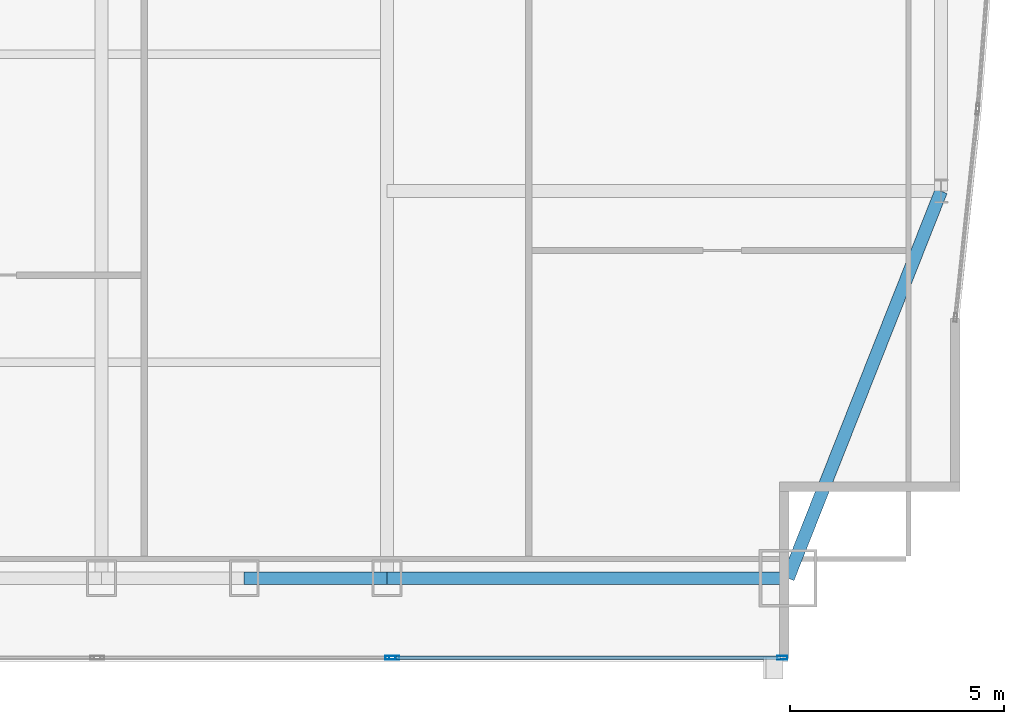
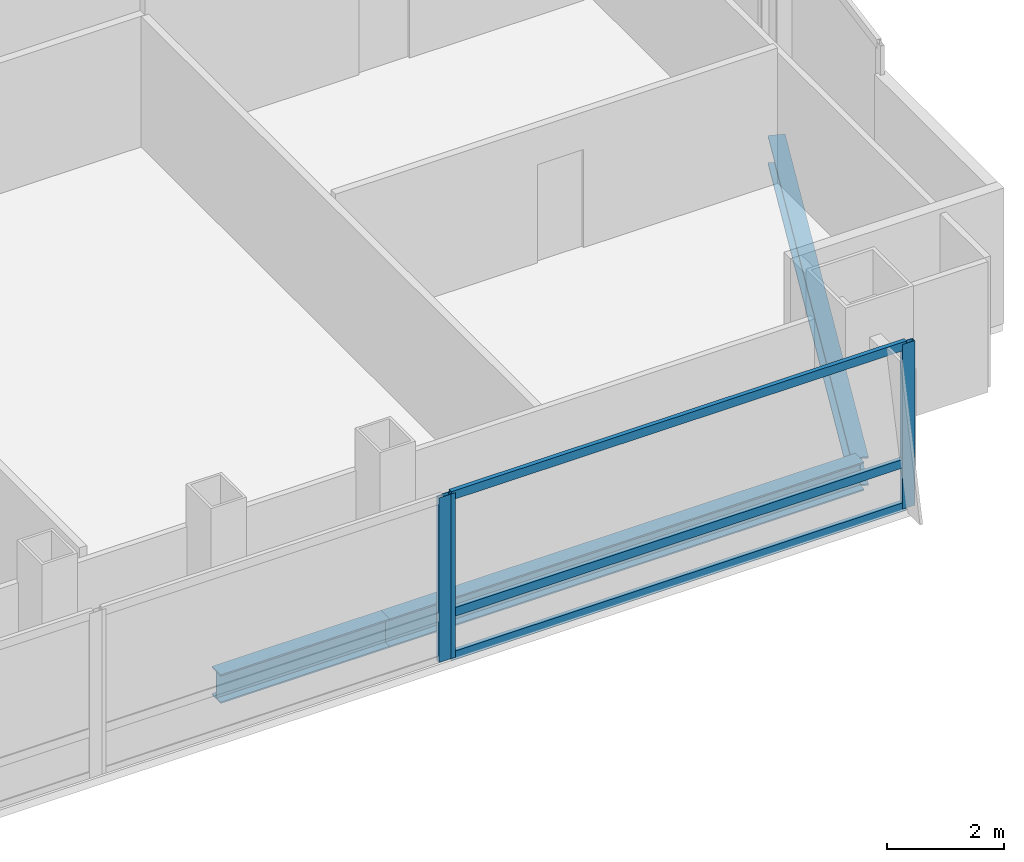
# One storey, part 15 of 29: 6 members, 3 beams, 2 elements without a shape of their own.
"""IFC4 building model written with IfcOpenShell, lengths in metres."""

import ifcopenshell
import ifcopenshell.guid

model = None  # the IFC model being written
_history = None  # IfcOwnerHistory: only IFC2X3 demands one
_inside = {}  # id of a spatial element -> (the spatial element, [elements in it])
_under = {}  # id of a project, library or spatial element -> (it, [spatial elements below it])
_declared = {}  # id of a project -> (the project, [libraries it declares])
_typed = {}  # id of a type object -> (the type object, [elements of that type])
_made_of = {}  # id of a material, layer set ... -> (it, [elements and type objects made of it])


def new_model(schema):
    """Start an empty IFC model of exactly this schema.

    Asked for "IFC4X3", IfcOpenShell would pick the latest addendum, in which some entities
    have other attributes; the version numbers below select the first issue.
    IFC2X3 requires an IfcOwnerHistory on every rooted entity: one is made here for all.
    """
    global model, _history
    if schema == "IFC4X3":
        model = ifcopenshell.file(schema_version=(4, 3, 0, 0))
    else:
        model = ifcopenshell.file(schema=schema)
    _inside.clear()
    _under.clear()
    _declared.clear()
    _typed.clear()
    _made_of.clear()
    _history = None
    if model.schema == "IFC2X3":
        org = make("IfcOrganization", Name="unknown")
        user = make(
            "IfcPersonAndOrganization",
            ThePerson=make("IfcPerson", FamilyName="unknown"),
            TheOrganization=org,
        )
        app = make(
            "IfcApplication",
            ApplicationDeveloper=org,
            Version="unknown",
            ApplicationFullName="unknown",
            ApplicationIdentifier="unknown",
        )
        _history = make(
            "IfcOwnerHistory",
            OwningUser=user,
            OwningApplication=app,
            ChangeAction="ADDED",
            CreationDate=0,
        )
    return model


def make(cls, **values):
    """One entity of the class cls with the attributes given. An attribute that is None is left unset."""
    return model.create_entity(
        cls, **{name: value for name, value in values.items() if value is not None}
    )


def rooted(cls, **values):
    """An entity with a GlobalId (a new one), such as an element, a storey or a relation."""
    return make(cls, GlobalId=ifcopenshell.guid.new(), OwnerHistory=_history, **values)


def si_unit(unit_type, name, prefix=None):
    """IfcSIUnit, for example si_unit("LENGTHUNIT", "METRE", prefix="MILLI")."""
    return make("IfcSIUnit", UnitType=unit_type, Prefix=prefix, Name=name)


def assignment(units):
    """IfcUnitAssignment: the units of a project."""
    return None if units is None else make("IfcUnitAssignment", Units=units)


def point(xyz):
    """IfcCartesianPoint."""
    return None if xyz is None else make("IfcCartesianPoint", Coordinates=xyz)


def direction(xyz):
    """IfcDirection."""
    return None if xyz is None else make("IfcDirection", DirectionRatios=xyz)


def frame(location, z_axis=None, x_axis=None):
    """IfcAxis2Placement3D, a coordinate frame: its origin and axes. An axis left out is left unset."""
    return make(
        "IfcAxis2Placement3D",
        Location=point(location),
        Axis=direction(z_axis),
        RefDirection=direction(x_axis),
    )


def frame_2d(location, x_axis=None):
    """IfcAxis2Placement2D, a coordinate frame in the plane: its origin and x axis."""
    return make(
        "IfcAxis2Placement2D", Location=point(location), RefDirection=direction(x_axis)
    )


def origin():
    """The frame at (0, 0, 0) with its axes left unset."""
    return frame((0.0, 0.0, 0.0))


def origin_2d():
    """The frame at (0, 0) in the plane with its x axis left unset."""
    return frame_2d((0.0, 0.0))


def place(relative_to, where):
    """IfcLocalPlacement: puts the frame where relative to a parent placement (None: the world)."""
    return make(
        "IfcLocalPlacement", PlacementRelTo=relative_to, RelativePlacement=where
    )


def context(
    kind, dimensions, precision=None, world=None, true_north=None, identifier=None
):
    """IfcGeometricRepresentationContext, for example the 3D "Model" context."""
    return make(
        "IfcGeometricRepresentationContext",
        ContextIdentifier=identifier,
        ContextType=kind,
        CoordinateSpaceDimension=dimensions,
        Precision=precision,
        WorldCoordinateSystem=world,
        TrueNorth=true_north,
    )


def subcontext(parent, identifier, kind, view, scale=None):
    """IfcGeometricRepresentationSubContext, for example "Body" below "Model"."""
    return make(
        "IfcGeometricRepresentationSubContext",
        ContextIdentifier=identifier,
        ContextType=kind,
        ParentContext=parent,
        TargetScale=scale,
        TargetView=view,
    )


def project(units=None, contexts=None):
    """IfcProject with its units and contexts."""
    return rooted(
        "IfcProject",
        Name="project",
        RepresentationContexts=contexts,
        UnitsInContext=assignment(units),
    )


def spatial(cls, under=None, at=None, **own):
    """A site, building, storey or space (cls), placed at a placement, below another one or the project."""
    s = rooted(cls, ObjectPlacement=at, **own)
    if under is not None:
        _under.setdefault(under.id(), (under, []))[1].append(s)
    return s


def profile(cls, at=None, kind="AREA", **sizes):
    """A parametric profile (cls). Its sizes go by their IFC names, for example OverallWidth=200.0."""
    return make(cls, ProfileType=kind, Position=at, **sizes)


def hollow_rectangle(**sizes):
    """IfcRectangleHollowProfileDef."""
    return profile("IfcRectangleHollowProfileDef", **sizes)


def i_section(**sizes):
    """IfcIShapeProfileDef."""
    return profile("IfcIShapeProfileDef", **sizes)


def extrude(swept, where, along, depth):
    """IfcExtrudedAreaSolid: the profile swept, set in the frame where, extruded along a direction by depth."""
    return make(
        "IfcExtrudedAreaSolid",
        SweptArea=swept,
        Position=where,
        ExtrudedDirection=direction(along),
        Depth=depth,
    )


def shape(context_of_items, identifier, shape_type, items):
    """IfcShapeRepresentation: the items that make up one representation, for example the "Body"."""
    return make(
        "IfcShapeRepresentation",
        ContextOfItems=context_of_items,
        RepresentationIdentifier=identifier,
        RepresentationType=shape_type,
        Items=items,
    )


def material(Name=None, Category=None):
    """IfcMaterial."""
    return make("IfcMaterial", Name=Name, Category=Category)


def material_profile(
    of_material, cross_section, Name=None, Category=None, Priority=None
):
    """IfcMaterialProfile: a cross section and its material."""
    return make(
        "IfcMaterialProfile",
        Name=Name,
        Material=of_material,
        Profile=cross_section,
        Priority=Priority,
        Category=Category,
    )


def profile_set(profiles, Name=None, composite=None):
    """IfcMaterialProfileSet."""
    return make(
        "IfcMaterialProfileSet",
        Name=Name,
        MaterialProfiles=profiles,
        CompositeProfile=composite,
    )


def made_of(thing, what):
    """Note that an element or type object is made of a material, layer set ...; save() writes the relation."""
    if what is not None:
        _made_of.setdefault(what.id(), (what, []))[1].append(thing)
    return thing


def type_object(cls, material=None, **own):
    """A type object (cls), such as IfcWallType, which elements share."""
    return made_of(rooted(cls, **own), material)


def element(
    cls,
    number,
    at=None,
    inside=None,
    cuts=None,
    type_object=None,
    material=None,
    context=None,
    identifier="Body",
    shape_type=None,
    held_by="IfcProductDefinitionShape",
    body=None,
    shapes=None,
    **own,
):
    """One element of the class cls, such as IfcWall. Its Tag is "e" and its number.

    at: its placement. inside: the storey or other place that contains it. cuts: it is an
    opening in that element (IfcRelVoidsElement). A single representation is given by context,
    identifier, shape_type and body (its items); several are given by shapes. held_by: the class
    of the entity that holds the representations. save() writes the other relations.
    """
    e = rooted(cls, Tag="e%d" % number, ObjectPlacement=at, **own)
    if body is not None:
        shapes = [shape(context, identifier, shape_type, body)]
    if shapes is not None:
        e.Representation = make(held_by, Representations=shapes)
    if inside is not None:
        _inside.setdefault(inside.id(), (inside, []))[1].append(e)
    if cuts is not None:
        rooted(
            "IfcRelVoidsElement", RelatingBuildingElement=cuts, RelatedOpeningElement=e
        )
    if type_object is not None:
        _typed.setdefault(type_object.id(), (type_object, []))[1].append(e)
    return made_of(e, material)


def aggregate(whole, parts):
    """IfcRelAggregates: a whole, such as a stair, and the parts it consists of."""
    return rooted("IfcRelAggregates", RelatingObject=whole, RelatedObjects=parts)


def save(model, path):
    """Write the relations noted so far, then the file.

    IfcRelAggregates (storeys below a building ...), IfcRelContainedInSpatialStructure (elements
    in a storey), IfcRelDefinesByType, IfcRelAssociatesMaterial and IfcRelDeclares: one each for
    every whole, place, type object, material and project.
    """
    for whole, parts in _under.values():
        aggregate(whole, parts)
    for where, things in _inside.values():
        rooted(
            "IfcRelContainedInSpatialStructure",
            RelatedElements=things,
            RelatingStructure=where,
        )
    for kind, things in _typed.values():
        rooted("IfcRelDefinesByType", RelatedObjects=things, RelatingType=kind)
    for what, things in _made_of.values():
        rooted("IfcRelAssociatesMaterial", RelatedObjects=things, RelatingMaterial=what)
    for by, libraries in _declared.values():
        rooted("IfcRelDeclares", RelatingContext=by, RelatedDefinitions=libraries)
    model.write(path)


model = new_model("IFC4")

# Units and contexts
model_context = context("Model", 3, precision=1e-05, world=origin(), true_north=direction((0.0, 1.0)))
body_context = subcontext(model_context, "Body", "Model", "MODEL_VIEW")
ifc_project = project(units=[si_unit("LENGTHUNIT", "METRE"), si_unit("AREAUNIT", "SQUARE_METRE"), si_unit("VOLUMEUNIT", "CUBIC_METRE"), si_unit("PLANEANGLEUNIT", "RADIAN"), si_unit("MASSUNIT", "GRAM", prefix="KILO")], contexts=[model_context])

# Site, building, storey
site_placement = place(None, origin())
site = spatial("IfcSite", under=ifc_project, at=site_placement, CompositionType="ELEMENT")
building_placement = place(site_placement, origin())
building = spatial("IfcBuilding", under=site, at=building_placement, Name="Khoronbel Lancet Exchange", CompositionType="ELEMENT")
storey_placement = place(building_placement, frame((0.0, 0.0, 139.800048828125)))
storey = spatial("IfcBuildingStorey", under=building, at=storey_placement, Name="L34", CompositionType="ELEMENT", Elevation=139.800048828125)

# Beams
ifc_material_1 = material(Name="Steel S355", Category="steel")
ifc_material_profile_1 = material_profile(ifc_material_1, i_section(OverallWidth=0.300048828125, OverallDepth=0.60009765625, WebThickness=0.015380859375, FlangeThickness=0.030029296875, at=origin_2d()), Name="HEB 600")
ifc_profile_set_1 = profile_set([ifc_material_profile_1], Name="Steel S355")
beam_type = type_object("IfcBeamType", Name="BM-BSP2", PredefinedType="SPANDREL", material=ifc_profile_set_1)
beam_1_placement = place(storey_placement, frame((51.33740234375, 10.14990234375, -0.4599609375), z_axis=(1.0, 0.0, 0.0), x_axis=(0.0, 1.0, 0.0)))
element("IfcBeam", 1, at=beam_1_placement, inside=storey, type_object=beam_type, Name="Level L34 perimeter spandrel beam SP08", PredefinedType="SPANDREL", context=body_context, shape_type="SweptSolid", body=[
    extrude(i_section(OverallWidth=0.300048828125, OverallDepth=0.60009765625, WebThickness=0.015380859375, FlangeThickness=0.030029296875, at=origin_2d()), origin(), (0.0, 0.0, 1.0), 3.337646484375),
])
beam_2_placement = place(storey_placement, frame((54.675048828125, 10.14990234375, -0.4599609375), z_axis=(1.0, 0.0, 0.0), x_axis=(0.0, 1.0, 0.0)))
element("IfcBeam", 2, at=beam_2_placement, inside=storey, type_object=beam_type, Name="Level L34 perimeter spandrel beam SP09", PredefinedType="SPANDREL", context=body_context, shape_type="SweptSolid", body=[
    extrude(i_section(OverallWidth=0.300048828125, OverallDepth=0.60009765625, WebThickness=0.015380859375, FlangeThickness=0.030029296875, at=origin_2d()), origin(), (0.0, 0.0, 1.0), 9.375),
])
beam_3_placement = place(storey_placement, frame((64.050048828125, 10.14990234375, -0.4599609375), z_axis=(0.367828403855, 0.929893684954, 0.0), x_axis=(-0.929893684954, 0.367828403855, 0.0)))
element("IfcBeam", 3, at=beam_3_placement, inside=storey, type_object=beam_type, Name="Level L34 perimeter spandrel beam SP10", PredefinedType="SPANDREL", context=body_context, shape_type="SweptSolid", body=[
    extrude(i_section(OverallWidth=0.300048828125, OverallDepth=0.60009765625, WebThickness=0.015380859375, FlangeThickness=0.030029296875, at=origin_2d()), origin(), (0.0, 0.0, 1.0), 9.732421875),
])

# Curtain wall, member
ifc_material_2 = material(Name="Low-E Solar Control Insulating Glass", Category="glass")
curtain_wall_type = type_object("IfcCurtainWallType", Name="CW-3", PredefinedType="NOTDEFINED", material=ifc_material_2)
curtain_wall_1_placement = place(storey_placement, origin())
curtain_wall_1 = element("IfcCurtainWall", 4, at=curtain_wall_1_placement, inside=storey, type_object=curtain_wall_type, Name="Unitised curtain wall CW-L34-SEB", PredefinedType="NOTDEFINED")
ifc_material_3 = material(Name="Bronze-Anodised Aluminium 6063-T6", Category="aluminium")
ifc_material_profile_2 = material_profile(ifc_material_3, hollow_rectangle(XDim=0.0849609375, YDim=0.239990234375, WallThickness=0.006103515625, at=origin_2d()), Name="ALU MULLION 85x240")
ifc_profile_set_2 = profile_set([ifc_material_profile_2], Name="Bronze-Anodised Aluminium 6063-T6")
member_type_1 = type_object("IfcMemberType", Name="MEM-CWM1", PredefinedType="MULLION", material=ifc_profile_set_2)
member_1_placement = place(storey_placement, frame((54.757568359375, 8.2900390625, 0.0), z_axis=(0.0, 0.0, 1.0), x_axis=(0.0, 1.0, 0.0)))
member_1 = element("IfcMember", 5, at=member_1_placement, type_object=member_type_1, Name="CW3 mullion 2", PredefinedType="MULLION", context=body_context, shape_type="SweptSolid", body=[
    extrude(hollow_rectangle(XDim=0.0849609375, YDim=0.239990234375, WallThickness=0.006103515625, at=origin_2d()), origin(), (0.0, 0.0, 1.0), 3.43994140625),
])
aggregate(curtain_wall_1, [member_1])

# Curtain wall, members
curtain_wall_2_placement = place(storey_placement, origin())
curtain_wall_2 = element("IfcCurtainWall", 6, at=curtain_wall_2_placement, inside=storey, type_object=curtain_wall_type, Name="Unitised curtain wall CW-L34-SEV", PredefinedType="NOTDEFINED")
member_2_placement = place(storey_placement, frame((54.842529296875, 8.2900390625, 0.0), z_axis=(0.0, 0.0, 1.0), x_axis=(0.0, 1.0, 0.0)))
member_2 = element("IfcMember", 7, at=member_2_placement, type_object=member_type_1, Name="CW3 mullion 1", PredefinedType="MULLION", context=body_context, shape_type="SweptSolid", body=[
    extrude(hollow_rectangle(XDim=0.0849609375, YDim=0.239990234375, WallThickness=0.006103515625, at=origin_2d()), origin(), (0.0, 0.0, 1.0), 3.43994140625),
])
member_3_placement = place(storey_placement, frame((63.91748046875, 8.2900390625, 0.0), z_axis=(0.0, 0.0, 1.0), x_axis=(0.0, 1.0, 0.0)))
member_3 = element("IfcMember", 8, at=member_3_placement, type_object=member_type_1, Name="CW3 mullion 2", PredefinedType="MULLION", context=body_context, shape_type="SweptSolid", body=[
    extrude(hollow_rectangle(XDim=0.0849609375, YDim=0.239990234375, WallThickness=0.006103515625, at=origin_2d()), origin(), (0.0, 0.0, 1.0), 3.43994140625),
])
ifc_material_profile_3 = material_profile(ifc_material_3, hollow_rectangle(XDim=0.0849609375, YDim=0.179931640625, WallThickness=0.0048828125, at=origin_2d()), Name="ALU TRANSOM 85x180")
ifc_profile_set_3 = profile_set([ifc_material_profile_3], Name="Bronze-Anodised Aluminium 6063-T6")
member_type_2 = type_object("IfcMemberType", Name="MEM-CWT1", PredefinedType="USERDEFINED", material=ifc_profile_set_3)
member_4_placement = place(storey_placement, frame((54.885009765625, 8.2900390625, 0.04248046875), z_axis=(1.0, 0.0, 0.0), x_axis=(0.0, 1.0, 0.0)))
member_4 = element("IfcMember", 9, at=member_4_placement, type_object=member_type_2, Name="CW3 transom 1.1", ObjectType="TRANSOM", PredefinedType="USERDEFINED", context=body_context, shape_type="SweptSolid", body=[
    extrude(hollow_rectangle(XDim=0.0849609375, YDim=0.179931640625, WallThickness=0.0048828125, at=origin_2d()), origin(), (0.0, 0.0, 1.0), 8.989990234375),
])
member_5_placement = place(storey_placement, frame((54.885009765625, 8.2900390625, 0.949951171875), z_axis=(1.0, 0.0, 0.0), x_axis=(0.0, 1.0, 0.0)))
member_5 = element("IfcMember", 10, at=member_5_placement, type_object=member_type_2, Name="CW3 transom 1.2", ObjectType="TRANSOM", PredefinedType="USERDEFINED", context=body_context, shape_type="SweptSolid", body=[
    extrude(hollow_rectangle(XDim=0.0849609375, YDim=0.179931640625, WallThickness=0.0048828125, at=origin_2d()), origin(), (0.0, 0.0, 1.0), 8.989990234375),
])
member_6_placement = place(storey_placement, frame((54.885009765625, 8.2900390625, 3.3974609375), z_axis=(1.0, 0.0, 0.0), x_axis=(0.0, 1.0, 0.0)))
member_6 = element("IfcMember", 11, at=member_6_placement, type_object=member_type_2, Name="CW3 transom 1.3", ObjectType="TRANSOM", PredefinedType="USERDEFINED", context=body_context, shape_type="SweptSolid", body=[
    extrude(hollow_rectangle(XDim=0.0849609375, YDim=0.179931640625, WallThickness=0.0048828125, at=origin_2d()), origin(), (0.0, 0.0, 1.0), 8.989990234375),
])
aggregate(curtain_wall_2, [member_2, member_3, member_4, member_5, member_6])

save(model, "model.ifc")
